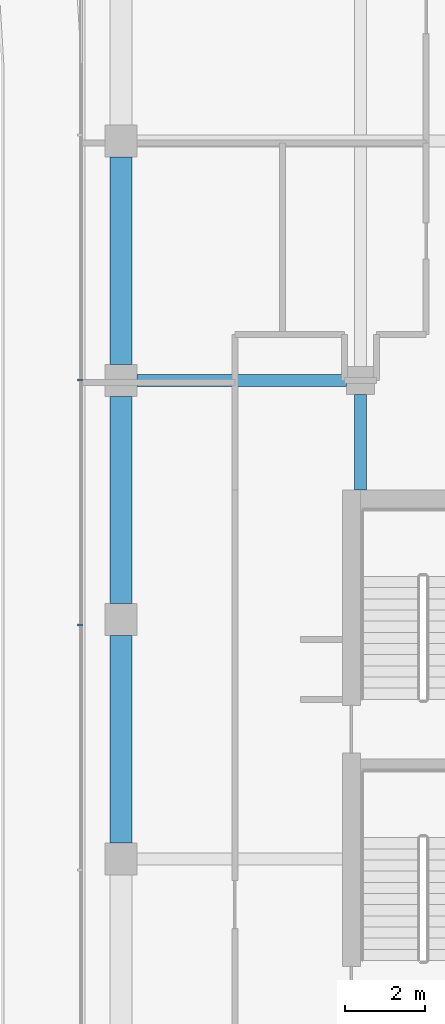
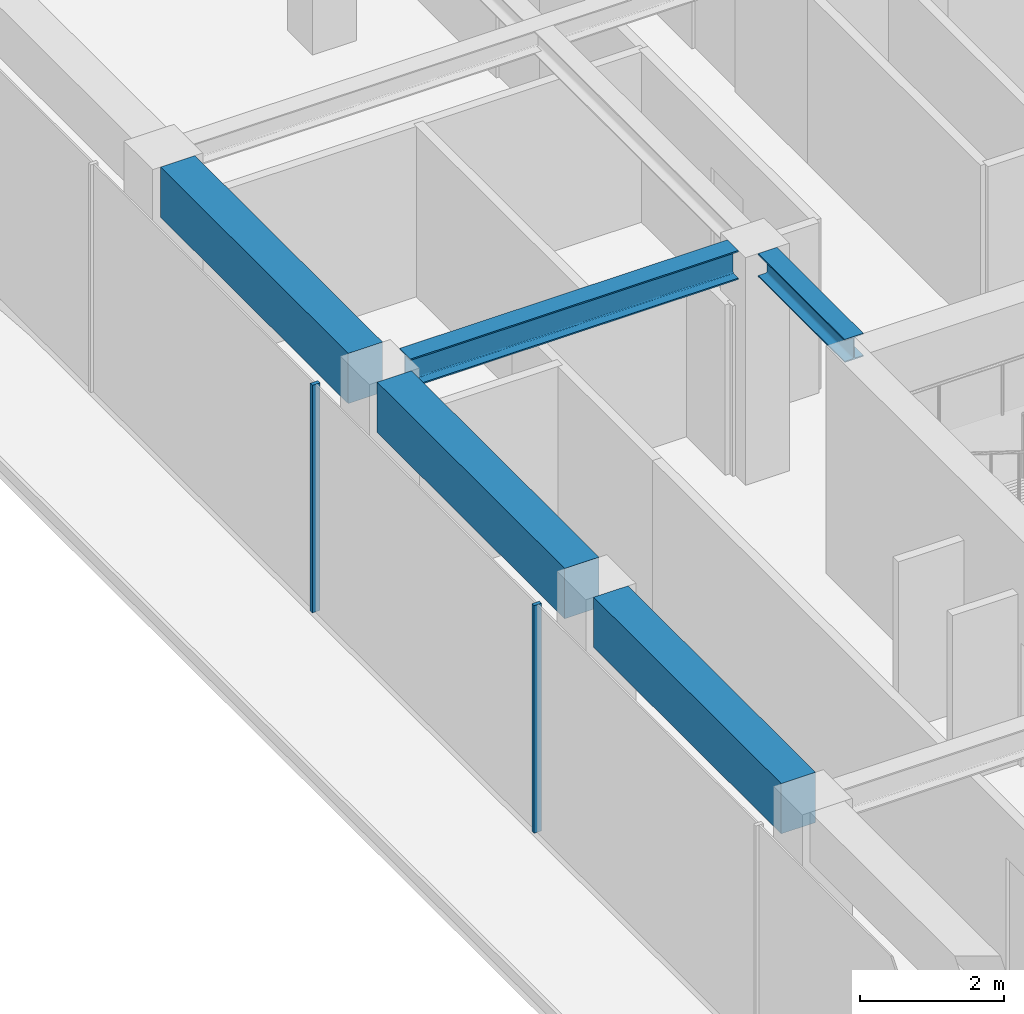
# One storey, part 4 of 21: 5 beams, 2 members, 1 element without a shape of its own.
"""IFC4 building model written with IfcOpenShell, lengths in metres."""

from ifc_helpers import new_model, si_unit, direction, frame, origin, origin_2d, place, context, subcontext, project, spatial, rectangle, i_section, extrude, material, layer, layer_set, material_profile, profile_set, type_object, element, aggregate, save


model = new_model("IFC4")

# Units and contexts
model_context = context("Model", 3, precision=1e-05, world=origin(), true_north=direction((0.0, 1.0)))
body_context = subcontext(model_context, "Body", "Model", "MODEL_VIEW")
ifc_project = project(units=[si_unit("LENGTHUNIT", "METRE"), si_unit("AREAUNIT", "SQUARE_METRE"), si_unit("VOLUMEUNIT", "CUBIC_METRE"), si_unit("PLANEANGLEUNIT", "RADIAN"), si_unit("MASSUNIT", "GRAM", prefix="KILO")], contexts=[model_context])

# Site, building, storey
site_placement = place(None, origin())
site = spatial("IfcSite", under=ifc_project, at=site_placement, CompositionType="ELEMENT")
building_placement = place(site_placement, origin())
building = spatial("IfcBuilding", under=site, at=building_placement, Name="Welwitschia Terrace Campus", CompositionType="ELEMENT")
storey_placement = place(building_placement, frame((0.0, 0.0, 213.800048828125)))
storey = spatial("IfcBuildingStorey", under=building, at=storey_placement, Name="L47", CompositionType="ELEMENT", Elevation=213.800048828125)

# Beam
ifc_material_1 = material(Name="Steel S355", Category="steel")
ifc_material_profile_1 = material_profile(ifc_material_1, i_section(OverallWidth=0.300048828125, OverallDepth=0.389892578125, WebThickness=0.010986328125, FlangeThickness=0.01904296875, FilletRadius=0.027099609375, at=origin_2d()))
ifc_profile_set_1 = profile_set([ifc_material_profile_1], Name="Steel S355")
beam_type_1 = type_object("IfcBeamType", Name="Interior girder HE 400 A", PredefinedType="BEAM", material=ifc_profile_set_1)
beam_1_placement = place(storey_placement, frame((6.0, 25.2509765625, 3.655029296875), z_axis=(0.0, 1.0, 0.0), x_axis=(-1.0, 0.0, 0.0)))
element("IfcBeam", 1, at=beam_1_placement, inside=storey, type_object=beam_type_1, Name="Girder GB5", PredefinedType="BEAM", context=body_context, shape_type="SweptSolid", body=[
    extrude(i_section(OverallWidth=0.300048828125, OverallDepth=0.389892578125, WebThickness=0.010986328125, FlangeThickness=0.01904296875, FilletRadius=0.027099609375, at=origin_2d()), origin(), (0.0, 0.0, 1.0), 2.3984375),
])

# Curtain wall, members
ifc_material_2 = material(Name="Bronze anodised aluminium", Category="aluminium")
ifc_layer = layer(ifc_material_2, 0.1201171875)
ifc_layer_set = layer_set([ifc_layer], Name="Bronze anodised aluminium")
curtain_wall_type = type_object("IfcCurtainWallType", Name="Curtain wall CW2 tower 6000", PredefinedType="NOTDEFINED", material=ifc_layer_set)
curtain_wall_placement = place(storey_placement, origin())
curtain_wall = element("IfcCurtainWall", 2, at=curtain_wall_placement, inside=storey, type_object=curtain_wall_type, Name="CW L47.8.0", PredefinedType="NOTDEFINED")
ifc_material_3 = material(Name="Bronze anodised aluminium", Category="aluminium")
ifc_material_profile_2 = material_profile(ifc_material_3, rectangle(XDim=0.1201171875, YDim=0.06005859375, at=origin_2d()))
ifc_profile_set_2 = profile_set([ifc_material_profile_2], Name="Bronze anodised aluminium")
member_type = type_object("IfcMemberType", Name="Mullion 60x120", PredefinedType="MULLION", material=ifc_profile_set_2)
member_1_placement = place(storey_placement, frame((-1.030029296875, 28.01025390625, 0.0), z_axis=(0.0, 0.0, 1.0), x_axis=(1.0, 0.0, 0.0)))
member_1 = element("IfcMember", 3, at=member_1_placement, type_object=member_type, Name="Mullion L47.8.0.7", PredefinedType="MULLION", context=body_context, shape_type="SweptSolid", body=[
    extrude(rectangle(XDim=0.1201171875, YDim=0.06005859375, at=origin_2d()), origin(), (0.0, 0.0, 1.0), 3.849853515625),
])
member_2_placement = place(storey_placement, frame((-1.030029296875, 21.86474609375, 0.0), z_axis=(0.0, 0.0, 1.0), x_axis=(1.0, 0.0, 0.0)))
member_2 = element("IfcMember", 4, at=member_2_placement, type_object=member_type, Name="Mullion L47.8.0.8", PredefinedType="MULLION", context=body_context, shape_type="SweptSolid", body=[
    extrude(rectangle(XDim=0.1201171875, YDim=0.06005859375, at=origin_2d()), origin(), (0.0, 0.0, 1.0), 3.849853515625),
])
aggregate(curtain_wall, [member_1, member_2])

# Beams
ifc_material_4 = material(Name="Steel S355", Category="steel")
ifc_material_profile_3 = material_profile(ifc_material_4, i_section(OverallWidth=0.300048828125, OverallDepth=0.489990234375, WebThickness=0.011962890625, FlangeThickness=0.02294921875, FilletRadius=0.027099609375, at=origin_2d()))
ifc_profile_set_3 = profile_set([ifc_material_profile_3], Name="Steel S355")
beam_type_2 = type_object("IfcBeamType", Name="Primary beam HE 500 A", PredefinedType="BEAM", material=ifc_profile_set_3)
beam_2_placement = place(storey_placement, frame((0.400390625, 28.0, 3.60498046875), z_axis=(1.0, 0.0, 0.0), x_axis=(0.0, 1.0, 0.0)))
element("IfcBeam", 5, at=beam_2_placement, inside=storey, type_object=beam_type_2, Name="Primary beam PB5", PredefinedType="BEAM", context=body_context, shape_type="SweptSolid", body=[
    extrude(i_section(OverallWidth=0.300048828125, OverallDepth=0.489990234375, WebThickness=0.011962890625, FlangeThickness=0.02294921875, FilletRadius=0.027099609375, at=origin_2d()), origin(), (0.0, 0.0, 1.0), 5.2490234375),
])
ifc_material_5 = material(Name="Concrete C50/60", Category="concrete")
ifc_material_profile_4 = material_profile(ifc_material_5, rectangle(XDim=0.550048828125, YDim=0.85009765625, at=origin_2d()))
ifc_profile_set_4 = profile_set([ifc_material_profile_4], Name="Concrete C50/60")
beam_type_3 = type_object("IfcBeamType", Name="Ring spandrel 550x850", PredefinedType="SPANDREL", material=ifc_profile_set_4)
for number, where, z_axis, x_axis, name in (
    (6, (0.0, 33.599609375, 3.425048828125), (0.0, -1.0, 0.0), (1.0, 0.0, 0.0), "Spandrel SP3"),
    (7, (0.0, 27.599609375, 3.425048828125), (0.0, -1.0, 0.0), (1.0, 0.0, 0.0), "Spandrel SP3"),
    (8, (0.0, 21.599609375, 3.425048828125), (0.0, -1.0, 0.0), (1.0, 0.0, 0.0), "Spandrel SP3"),
):
    element("IfcBeam", number, at=place(storey_placement, frame(where, z_axis=z_axis, x_axis=x_axis)), inside=storey, type_object=beam_type_3, Name=name, PredefinedType="SPANDREL", context=body_context, shape_type="SweptSolid", body=[
        extrude(rectangle(XDim=0.550048828125, YDim=0.85009765625, at=origin_2d()), origin(), (0.0, 0.0, 1.0), 5.19921875),
    ])

save(model, "model.ifc")
